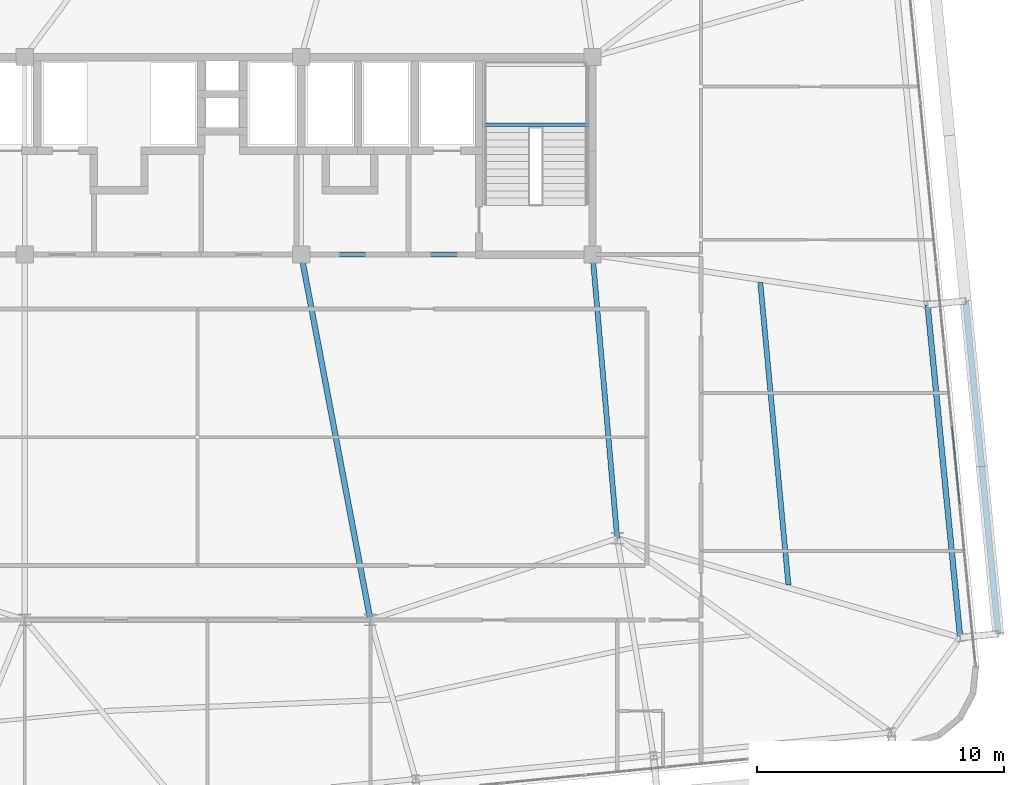
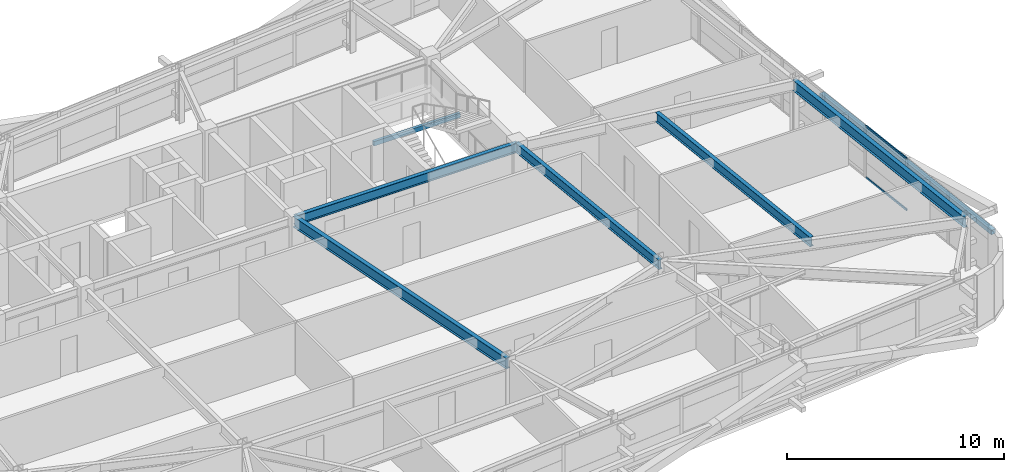
# One storey, part 23 of 52: 6 beams, 3 members, 1 element without a shape of its own.
"""IFC4 building model written with IfcOpenShell, lengths in metres."""

from ifc_helpers import new_model, si_unit, direction, frame, origin, origin_2d, place, context, subcontext, project, spatial, hollow_rectangle, i_section, extrude, source, transform, mapped, material, layer, layer_set, material_profile, profile_set, type_object, element, aggregate, save


model = new_model("IFC4")

# Units and contexts
model_context = context("Model", 3, precision=1e-05, world=origin(), true_north=direction((0.0, 1.0)))
body_context = subcontext(model_context, "Body", "Model", "MODEL_VIEW")
ifc_project = project(units=[si_unit("LENGTHUNIT", "METRE"), si_unit("AREAUNIT", "SQUARE_METRE"), si_unit("VOLUMEUNIT", "CUBIC_METRE"), si_unit("PLANEANGLEUNIT", "RADIAN"), si_unit("MASSUNIT", "GRAM", prefix="KILO")], contexts=[model_context])

# Site, building, storey
site_placement = place(None, origin())
site = spatial("IfcSite", under=ifc_project, at=site_placement, CompositionType="ELEMENT")
building_placement = place(site_placement, origin())
building = spatial("IfcBuilding", under=site, at=building_placement, Name="Taldren Reach Tower", CompositionType="ELEMENT")
storey_placement = place(building_placement, frame((0.0, 0.0, 77.699951171875)))
storey = spatial("IfcBuildingStorey", under=building, at=storey_placement, Name="L23", CompositionType="ELEMENT", Elevation=77.699951171875)

# Beams
ifc_material_1 = material(Name="Steel Gr 350 (350PLUS)", Category="steel")
ifc_material_profile_1 = material_profile(ifc_material_1, i_section(OverallWidth=0.208984375, OverallDepth=0.532958984375, WebThickness=0.01025390625, FlangeThickness=0.015625, at=origin_2d()), Name="530UB92.4")
ifc_profile_set_1 = profile_set([ifc_material_profile_1], Name="Steel Gr 350 (350PLUS)")
beam_type_1 = type_object("IfcBeamType", Name="BM-UB530A", PredefinedType="BEAM", material=ifc_profile_set_1)
shared_shape_1 = source(origin(), body_context, "Body", "SweptSolid", [
    extrude(i_section(OverallWidth=0.208984375, OverallDepth=0.532958984375, WebThickness=0.01025390625, FlangeThickness=0.015625, at=origin_2d()), origin(), (0.0, 0.0, 1.0), 11.800048828125),
])
beam_1_placement = place(storey_placement, frame((39.199951171875, 24.0, 2.66357421875), z_axis=(1.0, 0.0, 0.0), x_axis=(0.0, 1.0, 0.0)))
element("IfcBeam", 1, at=beam_1_placement, inside=storey, type_object=beam_type_1, Name="Core-spine girder L23-SP03", PredefinedType="BEAM", context=body_context, shape_type="MappedRepresentation", body=[
    mapped(shared_shape_1, transform((0.0, 0.0, 0.0), scale=1.0)),
])
shared_shape_2 = source(origin(), body_context, "Body", "SweptSolid", [
    extrude(i_section(OverallWidth=0.208984375, OverallDepth=0.532958984375, WebThickness=0.01025390625, FlangeThickness=0.015625, at=origin_2d()), origin(), (0.0, 0.0, 1.0), 11.54345703125),
])
beam_2_placement = place(storey_placement, frame((52.0, 12.5, 2.66357421875), z_axis=(-0.086629616365, 0.996240588196, 0.0), x_axis=(-0.996240588196, -0.086629616365, 0.0)))
element("IfcBeam", 2, at=beam_2_placement, inside=storey, type_object=beam_type_1, Name="Core-spine girder L23-SP13", PredefinedType="BEAM", context=body_context, shape_type="MappedRepresentation", body=[
    mapped(shared_shape_2, transform((0.0, 0.0, 0.0), scale=1.0)),
])
ifc_material_profile_2 = material_profile(ifc_material_1, i_section(OverallWidth=0.22802734375, OverallDepth=0.60205078125, WebThickness=0.010498046875, FlangeThickness=0.014892578125, at=origin_2d()), Name="610UB101")
ifc_profile_set_2 = profile_set([ifc_material_profile_2], Name="Steel Gr 350 (350PLUS)")
beam_type_2 = type_object("IfcBeamType", Name="BM-UB610B", PredefinedType="BEAM", material=ifc_profile_set_2)
shared_shape_3 = source(origin(), body_context, "Body", "SweptSolid", [
    extrude(i_section(OverallWidth=0.22802734375, OverallDepth=0.60205078125, WebThickness=0.010498046875, FlangeThickness=0.014892578125, at=origin_2d()), origin(), (0.0, 0.0, 1.0), 15.0625),
])
beam_3_placement = place(storey_placement, frame((39.199951171875, 24.0, 2.629150390625), z_axis=(0.185894205668, -0.982569765614, 0.0), x_axis=(0.982569765614, 0.185894205668, 0.0)))
element("IfcBeam", 3, at=beam_3_placement, inside=storey, type_object=beam_type_2, Name="Core-spine girder L23-SP15", PredefinedType="BEAM", context=body_context, shape_type="MappedRepresentation", body=[
    mapped(shared_shape_3, transform((0.0, 0.0, 0.0), scale=1.0)),
])
shared_shape_4 = source(origin(), body_context, "Body", "SweptSolid", [
    extrude(i_section(OverallWidth=0.22802734375, OverallDepth=0.60205078125, WebThickness=0.010498046875, FlangeThickness=0.014892578125, at=origin_2d()), origin(), (0.0, 0.0, 1.0), 13.550048828125),
])
beam_4_placement = place(storey_placement, frame((65.8916015625, 8.483642578125, 2.629150390625), z_axis=(-0.097566175139, 0.995229039703, 0.0), x_axis=(-0.995229039703, -0.097566175139, 0.0)))
element("IfcBeam", 4, at=beam_4_placement, inside=storey, type_object=beam_type_2, Name="Perimeter gable girder B2 E1-E2 L23", PredefinedType="BEAM", context=body_context, shape_type="MappedRepresentation", body=[
    mapped(shared_shape_4, transform((0.0, 0.0, 0.0), scale=1.0)),
])
shared_shape_5 = source(origin(), body_context, "Body", "SweptSolid", [
    extrude(i_section(OverallWidth=0.208984375, OverallDepth=0.532958984375, WebThickness=0.01025390625, FlangeThickness=0.015625, at=origin_2d()), origin(), (0.0, 0.0, 1.0), 12.306396484375),
])
beam_5_placement = place(storey_placement, frame((58.9345703125, 10.61376953125, 2.66357421875), z_axis=(-0.092546068089, 0.995708403741, 0.0), x_axis=(-0.995708403741, -0.092546068089, 0.0)))
element("IfcBeam", 5, at=beam_5_placement, inside=storey, type_object=beam_type_1, Name="Secondary floor beam B2 J7 L23", PredefinedType="BEAM", context=body_context, shape_type="MappedRepresentation", body=[
    mapped(shared_shape_5, transform((0.0, 0.0, 0.0), scale=1.0)),
])

# Member
ifc_material_2 = material(Name="Steel Gr 350 (C350L0)", Category="steel")
ifc_material_profile_3 = material_profile(ifc_material_2, hollow_rectangle(XDim=0.25, YDim=0.25, WallThickness=0.010009765625, at=origin_2d()), Name="250x250x10.0SHS")
ifc_profile_set_3 = profile_set([ifc_material_profile_3], Name="Steel Gr 350 (C350L0)")
member_type_1 = type_object("IfcMemberType", Name="MB-POST250", PredefinedType="POST", material=ifc_profile_set_3)
shared_shape_6 = source(origin(), body_context, "Body", "SweptSolid", [
    extrude(hollow_rectangle(XDim=0.25, YDim=0.25, WallThickness=0.010009765625, at=origin_2d()), origin(), (0.0, 0.0, 1.0), 13.550048828125),
])
member_1_placement = place(storey_placement, frame((67.434326171875, 8.634765625, 1.43505859375), z_axis=(-0.097584021339, 0.995227290009, 0.0), x_axis=(-0.995227290009, -0.097584021339, 0.0)))
element("IfcMember", 6, at=member_1_placement, inside=storey, type_object=member_type_1, Name="Exoskeleton mid-height ring chord B2-E1 L23", PredefinedType="POST", context=body_context, shape_type="MappedRepresentation", body=[
    mapped(shared_shape_6, transform((0.0, 0.0, 0.0), scale=1.0)),
])

# Curtain wall, members
ifc_material_3 = material(Name="Aluminium and Low-E Glass Unitised System", Category="aluminium")
ifc_layer = layer(ifc_material_3, 0.159912109375)
ifc_layer_set = layer_set([ifc_layer], Name="Aluminium and Low-E Glass Unitised System")
curtain_wall_type = type_object("IfcCurtainWallType", Name="CW-SYS-3", PredefinedType="NOTDEFINED", material=ifc_layer_set)
curtain_wall_placement = place(storey_placement, origin())
curtain_wall = element("IfcCurtainWall", 7, at=curtain_wall_placement, inside=storey, type_object=curtain_wall_type, Name="Unitised curtain wall CW-L23-E", PredefinedType="NOTDEFINED")
ifc_material_4 = material(Name="Anodised Aluminium 6063-T6", Category="aluminium")
ifc_material_profile_4 = material_profile(ifc_material_4, hollow_rectangle(XDim=0.054931640625, YDim=0.1201171875, WallThickness=0.0029296875, at=origin_2d()), Name="ALU-120x55x3RHS")
ifc_profile_set_4 = profile_set([ifc_material_profile_4], Name="Anodised Aluminium 6063-T6")
member_type_2 = type_object("IfcMemberType", Name="CW-TRN-135", PredefinedType="USERDEFINED", material=ifc_profile_set_4)
shared_shape_7 = source(origin(), body_context, "Body", "SweptSolid", [
    extrude(hollow_rectangle(XDim=0.054931640625, YDim=0.1201171875, WallThickness=0.0029296875, at=origin_2d()), origin(), (0.0, 0.0, 1.0), 3.212646484375),
])
member_2_placement = place(storey_placement, frame((65.87353515625, 13.895751953125, 0.027587890625), z_axis=(-0.097577327663, 0.995227946315, 0.0), x_axis=(-0.995227946315, -0.097577327663, 0.0)))
member_2 = element("IfcMember", 8, at=member_2_placement, type_object=member_type_2, Name="CW-3 transom 3.1", ObjectType="TRANSOM", PredefinedType="USERDEFINED", context=body_context, shape_type="MappedRepresentation", body=[
    mapped(shared_shape_7, transform((0.0, 0.0, 0.0), scale=1.0)),
])
member_3_placement = place(storey_placement, frame((65.87353515625, 13.895751953125, 2.902587890625), z_axis=(-0.097577327663, 0.995227946315, 0.0), x_axis=(-0.995227946315, -0.097577327663, 0.0)))
member_3 = element("IfcMember", 9, at=member_3_placement, type_object=member_type_2, Name="CW-3 transom 3.2", ObjectType="TRANSOM", PredefinedType="USERDEFINED", context=body_context, shape_type="MappedRepresentation", body=[
    mapped(shared_shape_7, transform((0.0, 0.0, 0.0), scale=1.0)),
])
aggregate(curtain_wall, [member_2, member_3])

# Beam
ifc_material_profile_5 = material_profile(ifc_material_2, hollow_rectangle(XDim=0.14990234375, YDim=0.25, WallThickness=0.009033203125, at=origin_2d()), Name="250x150x9.0RHS")
ifc_profile_set_5 = profile_set([ifc_material_profile_5], Name="Steel Gr 350 (C350L0)")
beam_type_3 = type_object("IfcBeamType", Name="LN-RHS250", PredefinedType="LINTEL", material=ifc_profile_set_5)
shared_shape_8 = source(origin(), body_context, "Body", "SweptSolid", [
    extrude(hollow_rectangle(XDim=0.14990234375, YDim=0.25, WallThickness=0.009033203125, at=origin_2d()), origin(), (0.0, 0.0, 1.0), 4.60009765625),
])
beam_6_placement = place(storey_placement, frame((46.39990234375, 29.2548828125, 1.27001953125), z_axis=(1.0, 0.0, 0.0), x_axis=(0.0, 1.0, 0.0)))
element("IfcBeam", 10, at=beam_6_placement, inside=storey, type_object=beam_type_3, Name="Stair half-landing support beam ST2-L23-1", PredefinedType="LINTEL", context=body_context, shape_type="MappedRepresentation", body=[
    mapped(shared_shape_8, transform((0.0, 0.0, 0.0), scale=1.0)),
])

save(model, "model.ifc")
